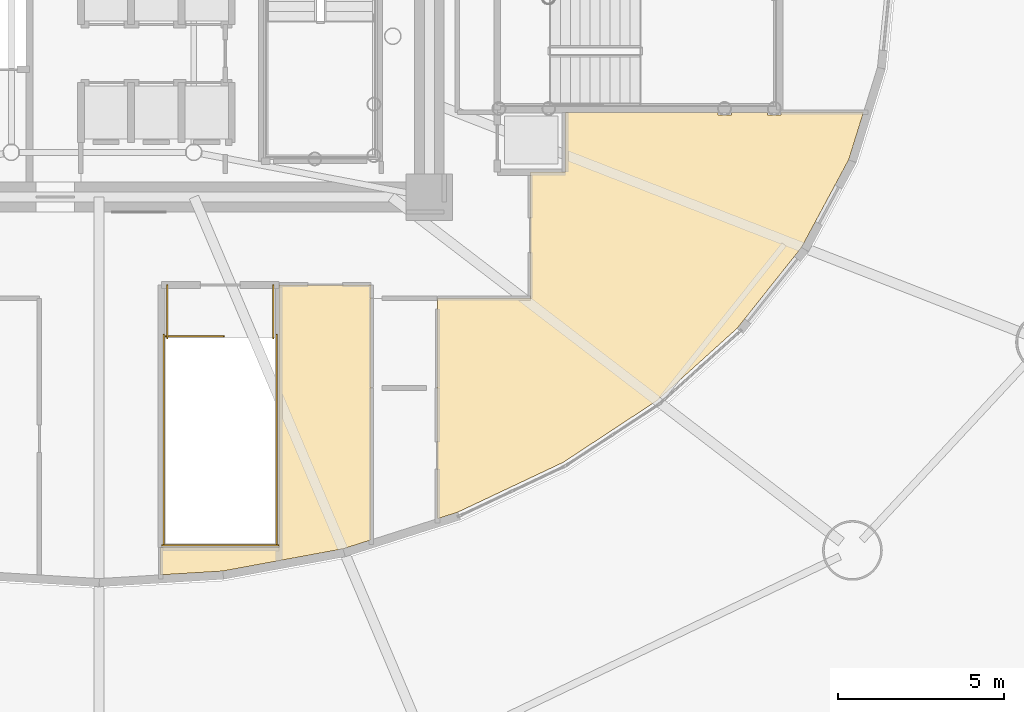
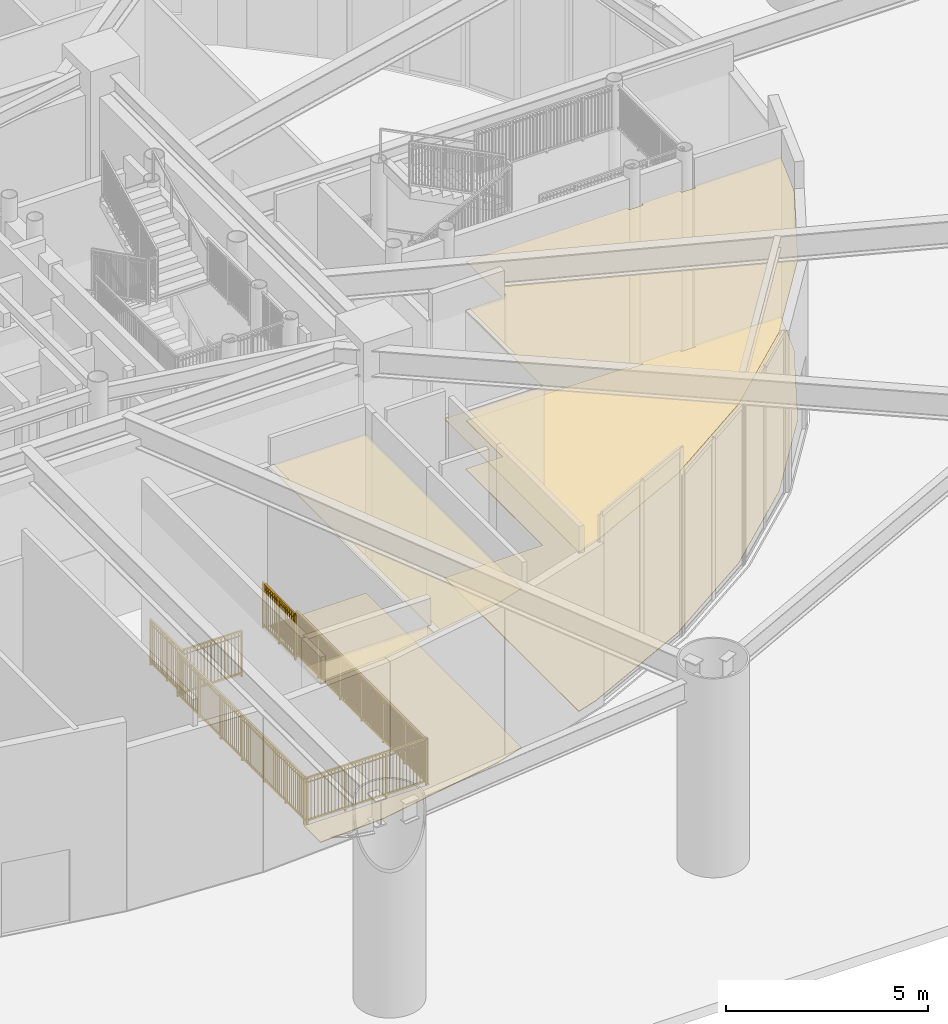
# One storey, part 39 of 46: 6 railings, 4 coverings.
"""IFC4 building model written with IfcOpenShell, lengths in metres."""

from ifc_helpers import new_model, si_unit, direction, frame, origin, origin_2d, place, context, subcontext, project, spatial, polyline, rectangle, outline, extrude, source, transform, mapped, material, layer, layer_set, type_object, element, save


model = new_model("IFC4")

# Units and contexts
model_context = context("Model", 3, precision=1e-05, world=origin(), true_north=direction((0.0, 1.0)))
body_context = subcontext(model_context, "Body", "Model", "MODEL_VIEW")
ifc_project = project(units=[si_unit("LENGTHUNIT", "METRE"), si_unit("AREAUNIT", "SQUARE_METRE"), si_unit("VOLUMEUNIT", "CUBIC_METRE"), si_unit("PLANEANGLEUNIT", "RADIAN"), si_unit("MASSUNIT", "GRAM", prefix="KILO")], contexts=[model_context])

# Site, building, storey
site_placement = place(None, origin())
site = spatial("IfcSite", under=ifc_project, at=site_placement, CompositionType="ELEMENT")
building_placement = place(site_placement, origin())
building = spatial("IfcBuilding", under=site, at=building_placement, Name="Linh Dai School and Residence Tower", CompositionType="ELEMENT")
storey_placement = place(building_placement, origin())
storey = spatial("IfcBuildingStorey", under=building, at=storey_placement, Name="L00", CompositionType="ELEMENT", Elevation=0.0)

# Coverings
ifc_material_1 = material(Name="Mineral Fibre Acoustic Suspended Ceiling", Category="masonry")
ifc_layer_1 = layer(ifc_material_1, 0.02001953125)
ifc_layer_set_1 = layer_set([ifc_layer_1], Name="Mineral Fibre Acoustic Suspended Ceiling")
covering_type_1 = type_object("IfcCoveringType", Name="COV-CEIL-AC-20", PredefinedType="CEILING", material=ifc_layer_set_1)
covering_1_placement = place(storey_placement, frame((0.0, 0.0, 4.800048828125)))
element("IfcCovering", 1, at=covering_1_placement, inside=storey, type_object=covering_type_1, Name="L00 Protected Basement Stair STB1 Discharge Passage South Suspended Ceiling", PredefinedType="CEILING", context=body_context, shape_type="SweptSolid", body=[
    extrude(outline(polyline([(37.85009765625, 9.679931640625), (41.419921875, 9.679931640625), (41.419921875, 17.60009765625), (44.199951171875, 17.60009765625), (44.199951171875, 9.91748046875), (43.355712890625, 9.64794921875), (39.72412109375, 8.975830078125), (37.85009765625, 8.8623046875), (37.85009765625, 9.679931640625)])), origin(), (0.0, 0.0, 1.0), 0.02001953125),
])
covering_2_placement = place(storey_placement, frame((0.0, 0.0, 4.800048828125)))
element("IfcCovering", 2, at=covering_2_placement, inside=storey, type_object=covering_type_1, Name="L00 Civic Stilts Colonnade Kiosk and Waiting Lounge Suspended Ceiling", PredefinedType="CEILING", context=body_context, shape_type="SweptSolid", body=[
    extrude(outline(polyline([(52.81787109375, 14.116455078125), (49.984619140625, 12.251220703125), (46.804443359375, 10.7490234375), (46.199951171875, 10.55615234375), (46.199951171875, 17.199951171875), (49.0, 17.199951171875), (49.0, 21.0), (50.050048828125, 21.0), (50.050048828125, 22.800048828125), (54.646728515625, 22.800048828125), (54.646728515625, 22.716796875), (55.05322265625, 22.716796875), (55.05322265625, 22.800048828125), (56.146728515625, 22.800048828125), (56.146728515625, 22.716796875), (56.55322265625, 22.716796875), (56.55322265625, 22.800048828125), (59.037109375, 22.800048828125), (58.594970703125, 21.38037109375), (57.175537109375, 18.739013671875), (55.234619140625, 16.29736328125), (52.81787109375, 14.116455078125)])), origin(), (0.0, 0.0, 1.0), 0.02001953125),
])
ifc_material_2 = material(Name="Polished Terrazzo Floor Finish", Category="masonry")
ifc_layer_2 = layer(ifc_material_2, 0.02490234375)
ifc_layer_set_2 = layer_set([ifc_layer_2], Name="Polished Terrazzo Floor Finish")
covering_type_2 = type_object("IfcCoveringType", Name="COV-FLR-TRZ-25", PredefinedType="FLOORING", material=ifc_layer_set_2)
covering_3_placement = place(storey_placement, origin())
element("IfcCovering", 3, at=covering_3_placement, inside=storey, type_object=covering_type_2, Name="L00 Protected Basement Stair STB1 Discharge Passage South Floor Finish", PredefinedType="FLOORING", context=body_context, shape_type="SweptSolid", body=[
    extrude(outline(polyline([(37.85009765625, 9.679931640625), (41.419921875, 9.679931640625), (41.419921875, 17.60009765625), (44.199951171875, 17.60009765625), (44.199951171875, 9.91748046875), (43.355712890625, 9.64794921875), (39.72412109375, 8.975830078125), (37.85009765625, 8.8623046875), (37.85009765625, 9.679931640625)])), origin(), (0.0, 0.0, 1.0), 0.02001953125),
])
covering_4_placement = place(storey_placement, origin())
element("IfcCovering", 4, at=covering_4_placement, inside=storey, type_object=covering_type_2, Name="L00 Civic Stilts Colonnade Kiosk and Waiting Lounge Floor Finish", PredefinedType="FLOORING", context=body_context, shape_type="SweptSolid", body=[
    extrude(outline(polyline([(52.81787109375, 14.116455078125), (49.984619140625, 12.251220703125), (46.804443359375, 10.7490234375), (46.199951171875, 10.55615234375), (46.199951171875, 17.199951171875), (49.0, 17.199951171875), (49.0, 21.0), (50.050048828125, 21.0), (50.050048828125, 22.800048828125), (54.646728515625, 22.800048828125), (54.646728515625, 22.716796875), (55.05322265625, 22.716796875), (55.05322265625, 22.800048828125), (56.146728515625, 22.800048828125), (56.146728515625, 22.716796875), (56.55322265625, 22.716796875), (56.55322265625, 22.800048828125), (59.037109375, 22.800048828125), (58.594970703125, 21.38037109375), (57.175537109375, 18.739013671875), (55.234619140625, 16.29736328125), (52.81787109375, 14.116455078125)])), origin(), (0.0, 0.0, 1.0), 0.02001953125),
])

# Railings
ifc_material_3 = material(Name="Structural Steel S355JR", Category="steel")
railing_type = type_object("IfcRailingType", Name="RL-ST-GUARD-1400", PredefinedType="GUARDRAIL", material=ifc_material_3)
shared_shape_1 = source(origin(), body_context, "Body", "SweptSolid", [
    extrude(rectangle(XDim=0.048095703125, YDim=0.048095703125, at=origin_2d()), frame((0.0, 0.0, 1.3759765625), z_axis=(0.0, -1.0, 0.0), x_axis=(1.0, 0.0, 0.0)), (0.0, 0.0, 1.0), 1.60009765625),
    extrude(rectangle(XDim=0.048095703125, YDim=0.048095703125, at=origin_2d()), frame((0.0, 0.0, 0.10009765625), z_axis=(0.0, -1.0, 0.0), x_axis=(1.0, 0.0, 0.0)), (0.0, 0.0, 1.0), 1.60009765625),
    extrude(rectangle(XDim=0.030029296875, YDim=0.030029296875, at=origin_2d()), frame((0.0, 0.0, 1.239990234375), z_axis=(0.0, -1.0, 0.0), x_axis=(1.0, 0.0, 0.0)), (0.0, 0.0, 1.0), 1.60009765625),
    extrude(rectangle(XDim=0.02001953125, YDim=0.02001953125, at=origin_2d()), frame((0.0, -0.09423828125, 0.10009765625)), (0.0, 0.0, 1.0), 1.251708984375),
    extrude(rectangle(XDim=0.02001953125, YDim=0.02001953125, at=origin_2d()), frame((0.0, -0.188232421875, 0.10009765625)), (0.0, 0.0, 1.0), 1.251708984375),
    extrude(rectangle(XDim=0.02001953125, YDim=0.02001953125, at=origin_2d()), frame((0.0, -0.282470703125, 0.10009765625)), (0.0, 0.0, 1.0), 1.251708984375),
    extrude(rectangle(XDim=0.02001953125, YDim=0.02001953125, at=origin_2d()), frame((0.0, -0.37646484375, 0.10009765625)), (0.0, 0.0, 1.0), 1.251708984375),
    extrude(rectangle(XDim=0.02001953125, YDim=0.02001953125, at=origin_2d()), frame((0.0, -0.470703125, 0.10009765625)), (0.0, 0.0, 1.0), 1.251708984375),
    extrude(rectangle(XDim=0.02001953125, YDim=0.02001953125, at=origin_2d()), frame((0.0, -0.564697265625, 0.10009765625)), (0.0, 0.0, 1.0), 1.251708984375),
    extrude(rectangle(XDim=0.02001953125, YDim=0.02001953125, at=origin_2d()), frame((0.0, -0.658935546875, 0.10009765625)), (0.0, 0.0, 1.0), 1.251708984375),
    extrude(rectangle(XDim=0.02001953125, YDim=0.02001953125, at=origin_2d()), frame((0.0, -0.7529296875, 0.10009765625)), (0.0, 0.0, 1.0), 1.251708984375),
    extrude(rectangle(XDim=0.02001953125, YDim=0.02001953125, at=origin_2d()), frame((0.0, -0.84716796875, 0.10009765625)), (0.0, 0.0, 1.0), 1.251708984375),
    extrude(rectangle(XDim=0.02001953125, YDim=0.02001953125, at=origin_2d()), frame((0.0, -0.941162109375, 0.10009765625)), (0.0, 0.0, 1.0), 1.251708984375),
    extrude(rectangle(XDim=0.02001953125, YDim=0.02001953125, at=origin_2d()), frame((0.0, -1.035400390625, 0.10009765625)), (0.0, 0.0, 1.0), 1.251708984375),
    extrude(rectangle(XDim=0.02001953125, YDim=0.02001953125, at=origin_2d()), frame((0.0, -1.12939453125, 0.10009765625)), (0.0, 0.0, 1.0), 1.251708984375),
    extrude(rectangle(XDim=0.02001953125, YDim=0.02001953125, at=origin_2d()), frame((0.0, -1.2236328125, 0.10009765625)), (0.0, 0.0, 1.0), 1.251708984375),
    extrude(rectangle(XDim=0.02001953125, YDim=0.02001953125, at=origin_2d()), frame((0.0, -1.317626953125, 0.10009765625)), (0.0, 0.0, 1.0), 1.251708984375),
    extrude(rectangle(XDim=0.02001953125, YDim=0.02001953125, at=origin_2d()), frame((0.0, -1.411865234375, 0.10009765625)), (0.0, 0.0, 1.0), 1.251708984375),
    extrude(rectangle(XDim=0.02001953125, YDim=0.02001953125, at=origin_2d()), frame((0.0, -1.505859375, 0.10009765625)), (0.0, 0.0, 1.0), 1.251708984375),
    extrude(rectangle(XDim=0.0419921875, YDim=0.0419921875, at=origin_2d()), origin(), (0.0, 0.0, 1.0), 1.3759765625),
    extrude(rectangle(XDim=0.0419921875, YDim=0.0419921875, at=origin_2d()), frame((0.0, -0.800048828125, 0.0)), (0.0, 0.0, 1.0), 1.3759765625),
    extrude(rectangle(XDim=0.0419921875, YDim=0.0419921875, at=origin_2d()), frame((0.0, -1.60009765625, 0.0)), (0.0, 0.0, 1.0), 1.3759765625),
])
for number, where, name in (
    (5, (38.050048828125, 17.60009765625, 0.0), "L00 STB1 top well guard 5"),
    (6, (41.25, 17.60009765625, 0.0), "L00 STB1 top well guard 6"),
):
    element("IfcRailing", number, at=place(storey_placement, frame(where)), inside=storey, type_object=railing_type, Name=name, PredefinedType="GUARDRAIL", context=body_context, shape_type="MappedRepresentation", body=[
        mapped(shared_shape_1, transform((0.0, 0.0, 0.0), x_axis=(1.0, 0.0, 0.0), y_axis=(0.0, 1.0, 0.0), z_axis=(0.0, 0.0, 1.0), scale=1.0)),
    ])
shared_shape_2 = source(origin(), body_context, "Body", "SweptSolid", [
    extrude(rectangle(XDim=0.048095703125, YDim=0.048095703125, at=origin_2d()), frame((0.0, 0.0, 1.3759765625), z_axis=(1.0, 0.0, 0.0), x_axis=(0.0, 1.0, 0.0)), (0.0, 0.0, 1.0), 3.5),
    extrude(rectangle(XDim=0.048095703125, YDim=0.048095703125, at=origin_2d()), frame((0.0, 0.0, 0.10009765625), z_axis=(1.0, 0.0, 0.0), x_axis=(0.0, 1.0, 0.0)), (0.0, 0.0, 1.0), 3.5),
    extrude(rectangle(XDim=0.030029296875, YDim=0.030029296875, at=origin_2d()), frame((0.0, 0.0, 1.239990234375), z_axis=(1.0, 0.0, 0.0), x_axis=(0.0, 1.0, 0.0)), (0.0, 0.0, 1.0), 3.5),
    extrude(rectangle(XDim=0.02001953125, YDim=0.02001953125, at=origin_2d()), frame((0.09716796875, 0.0, 0.10009765625)), (0.0, 0.0, 1.0), 1.251708984375),
    extrude(rectangle(XDim=0.02001953125, YDim=0.02001953125, at=origin_2d()), frame((0.1943359375, 0.0, 0.10009765625)), (0.0, 0.0, 1.0), 1.251708984375),
    extrude(rectangle(XDim=0.02001953125, YDim=0.02001953125, at=origin_2d()), frame((0.291748046875, 0.0, 0.10009765625)), (0.0, 0.0, 1.0), 1.251708984375),
    extrude(rectangle(XDim=0.02001953125, YDim=0.02001953125, at=origin_2d()), frame((0.388916015625, 0.0, 0.10009765625)), (0.0, 0.0, 1.0), 1.251708984375),
    extrude(rectangle(XDim=0.02001953125, YDim=0.02001953125, at=origin_2d()), frame((0.486083984375, 0.0, 0.10009765625)), (0.0, 0.0, 1.0), 1.251708984375),
    extrude(rectangle(XDim=0.02001953125, YDim=0.02001953125, at=origin_2d()), frame((0.583251953125, 0.0, 0.10009765625)), (0.0, 0.0, 1.0), 1.251708984375),
    extrude(rectangle(XDim=0.02001953125, YDim=0.02001953125, at=origin_2d()), frame((0.6806640625, 0.0, 0.10009765625)), (0.0, 0.0, 1.0), 1.251708984375),
    extrude(rectangle(XDim=0.02001953125, YDim=0.02001953125, at=origin_2d()), frame((0.77783203125, 0.0, 0.10009765625)), (0.0, 0.0, 1.0), 1.251708984375),
    extrude(rectangle(XDim=0.02001953125, YDim=0.02001953125, at=origin_2d()), frame((0.875, 0.0, 0.10009765625)), (0.0, 0.0, 1.0), 1.251708984375),
    extrude(rectangle(XDim=0.02001953125, YDim=0.02001953125, at=origin_2d()), frame((0.97216796875, 0.0, 0.10009765625)), (0.0, 0.0, 1.0), 1.251708984375),
    extrude(rectangle(XDim=0.02001953125, YDim=0.02001953125, at=origin_2d()), frame((1.0693359375, 0.0, 0.10009765625)), (0.0, 0.0, 1.0), 1.251708984375),
    extrude(rectangle(XDim=0.02001953125, YDim=0.02001953125, at=origin_2d()), frame((1.263916015625, 0.0, 0.10009765625)), (0.0, 0.0, 1.0), 1.251708984375),
    extrude(rectangle(XDim=0.02001953125, YDim=0.02001953125, at=origin_2d()), frame((1.361083984375, 0.0, 0.10009765625)), (0.0, 0.0, 1.0), 1.251708984375),
    extrude(rectangle(XDim=0.02001953125, YDim=0.02001953125, at=origin_2d()), frame((1.458251953125, 0.0, 0.10009765625)), (0.0, 0.0, 1.0), 1.251708984375),
    extrude(rectangle(XDim=0.02001953125, YDim=0.02001953125, at=origin_2d()), frame((1.5556640625, 0.0, 0.10009765625)), (0.0, 0.0, 1.0), 1.251708984375),
    extrude(rectangle(XDim=0.02001953125, YDim=0.02001953125, at=origin_2d()), frame((1.65283203125, 0.0, 0.10009765625)), (0.0, 0.0, 1.0), 1.251708984375),
    extrude(rectangle(XDim=0.02001953125, YDim=0.02001953125, at=origin_2d()), frame((1.75, 0.0, 0.10009765625)), (0.0, 0.0, 1.0), 1.251708984375),
    extrude(rectangle(XDim=0.02001953125, YDim=0.02001953125, at=origin_2d()), frame((1.84716796875, 0.0, 0.10009765625)), (0.0, 0.0, 1.0), 1.251708984375),
    extrude(rectangle(XDim=0.02001953125, YDim=0.02001953125, at=origin_2d()), frame((1.9443359375, 0.0, 0.10009765625)), (0.0, 0.0, 1.0), 1.251708984375),
    extrude(rectangle(XDim=0.02001953125, YDim=0.02001953125, at=origin_2d()), frame((2.041748046875, 0.0, 0.10009765625)), (0.0, 0.0, 1.0), 1.251708984375),
    extrude(rectangle(XDim=0.02001953125, YDim=0.02001953125, at=origin_2d()), frame((2.138916015625, 0.0, 0.10009765625)), (0.0, 0.0, 1.0), 1.251708984375),
    extrude(rectangle(XDim=0.02001953125, YDim=0.02001953125, at=origin_2d()), frame((2.236083984375, 0.0, 0.10009765625)), (0.0, 0.0, 1.0), 1.251708984375),
    extrude(rectangle(XDim=0.02001953125, YDim=0.02001953125, at=origin_2d()), frame((2.4306640625, 0.0, 0.10009765625)), (0.0, 0.0, 1.0), 1.251708984375),
    extrude(rectangle(XDim=0.02001953125, YDim=0.02001953125, at=origin_2d()), frame((2.52783203125, 0.0, 0.10009765625)), (0.0, 0.0, 1.0), 1.251708984375),
    extrude(rectangle(XDim=0.02001953125, YDim=0.02001953125, at=origin_2d()), frame((2.625, 0.0, 0.10009765625)), (0.0, 0.0, 1.0), 1.251708984375),
    extrude(rectangle(XDim=0.02001953125, YDim=0.02001953125, at=origin_2d()), frame((2.72216796875, 0.0, 0.10009765625)), (0.0, 0.0, 1.0), 1.251708984375),
    extrude(rectangle(XDim=0.02001953125, YDim=0.02001953125, at=origin_2d()), frame((2.8193359375, 0.0, 0.10009765625)), (0.0, 0.0, 1.0), 1.251708984375),
    extrude(rectangle(XDim=0.02001953125, YDim=0.02001953125, at=origin_2d()), frame((2.916748046875, 0.0, 0.10009765625)), (0.0, 0.0, 1.0), 1.251708984375),
    extrude(rectangle(XDim=0.02001953125, YDim=0.02001953125, at=origin_2d()), frame((3.013916015625, 0.0, 0.10009765625)), (0.0, 0.0, 1.0), 1.251708984375),
    extrude(rectangle(XDim=0.02001953125, YDim=0.02001953125, at=origin_2d()), frame((3.111083984375, 0.0, 0.10009765625)), (0.0, 0.0, 1.0), 1.251708984375),
    extrude(rectangle(XDim=0.02001953125, YDim=0.02001953125, at=origin_2d()), frame((3.208251953125, 0.0, 0.10009765625)), (0.0, 0.0, 1.0), 1.251708984375),
    extrude(rectangle(XDim=0.02001953125, YDim=0.02001953125, at=origin_2d()), frame((3.3056640625, 0.0, 0.10009765625)), (0.0, 0.0, 1.0), 1.251708984375),
    extrude(rectangle(XDim=0.02001953125, YDim=0.02001953125, at=origin_2d()), frame((3.40283203125, 0.0, 0.10009765625)), (0.0, 0.0, 1.0), 1.251708984375),
    extrude(rectangle(XDim=0.0419921875, YDim=0.0419921875, at=origin_2d()), origin(), (0.0, 0.0, 1.0), 1.3759765625),
    extrude(rectangle(XDim=0.0419921875, YDim=0.0419921875, at=origin_2d()), frame((1.166748046875, 0.0, 0.0)), (0.0, 0.0, 1.0), 1.3759765625),
    extrude(rectangle(XDim=0.0419921875, YDim=0.0419921875, at=origin_2d()), frame((2.333251953125, 0.0, 0.0)), (0.0, 0.0, 1.0), 1.3759765625),
    extrude(rectangle(XDim=0.0419921875, YDim=0.0419921875, at=origin_2d()), frame((3.5, 0.0, 0.0)), (0.0, 0.0, 1.0), 1.3759765625),
])
railing_1_placement = place(storey_placement, frame((37.89990234375, 9.75, 0.0)))
element("IfcRailing", 7, at=railing_1_placement, inside=storey, type_object=railing_type, Name="L00 STB1 top well guard 4", PredefinedType="GUARDRAIL", context=body_context, shape_type="MappedRepresentation", body=[
    mapped(shared_shape_2, transform((0.0, 0.0, 0.0), x_axis=(1.0, 0.0, 0.0), y_axis=(0.0, 1.0, 0.0), z_axis=(0.0, 0.0, 1.0), scale=1.0)),
])
shared_shape_3 = source(origin(), body_context, "Body", "SweptSolid", [
    extrude(rectangle(XDim=0.048095703125, YDim=0.048095703125, at=origin_2d()), frame((0.0, 0.0, 1.3759765625), z_axis=(1.0, 0.0, 0.0), x_axis=(0.0, 1.0, 0.0)), (0.0, 0.0, 1.0), 1.75),
    extrude(rectangle(XDim=0.048095703125, YDim=0.048095703125, at=origin_2d()), frame((0.0, 0.0, 0.10009765625), z_axis=(1.0, 0.0, 0.0), x_axis=(0.0, 1.0, 0.0)), (0.0, 0.0, 1.0), 1.75),
    extrude(rectangle(XDim=0.030029296875, YDim=0.030029296875, at=origin_2d()), frame((0.0, 0.0, 1.239990234375), z_axis=(1.0, 0.0, 0.0), x_axis=(0.0, 1.0, 0.0)), (0.0, 0.0, 1.0), 1.75),
    extrude(rectangle(XDim=0.02001953125, YDim=0.02001953125, at=origin_2d()), frame((0.09716796875, 0.0, 0.10009765625)), (0.0, 0.0, 1.0), 1.251708984375),
    extrude(rectangle(XDim=0.02001953125, YDim=0.02001953125, at=origin_2d()), frame((0.1943359375, 0.0, 0.10009765625)), (0.0, 0.0, 1.0), 1.251708984375),
    extrude(rectangle(XDim=0.02001953125, YDim=0.02001953125, at=origin_2d()), frame((0.291748046875, 0.0, 0.10009765625)), (0.0, 0.0, 1.0), 1.251708984375),
    extrude(rectangle(XDim=0.02001953125, YDim=0.02001953125, at=origin_2d()), frame((0.388916015625, 0.0, 0.10009765625)), (0.0, 0.0, 1.0), 1.251708984375),
    extrude(rectangle(XDim=0.02001953125, YDim=0.02001953125, at=origin_2d()), frame((0.486083984375, 0.0, 0.10009765625)), (0.0, 0.0, 1.0), 1.251708984375),
    extrude(rectangle(XDim=0.02001953125, YDim=0.02001953125, at=origin_2d()), frame((0.583251953125, 0.0, 0.10009765625)), (0.0, 0.0, 1.0), 1.251708984375),
    extrude(rectangle(XDim=0.02001953125, YDim=0.02001953125, at=origin_2d()), frame((0.6806640625, 0.0, 0.10009765625)), (0.0, 0.0, 1.0), 1.251708984375),
    extrude(rectangle(XDim=0.02001953125, YDim=0.02001953125, at=origin_2d()), frame((0.77783203125, 0.0, 0.10009765625)), (0.0, 0.0, 1.0), 1.251708984375),
    extrude(rectangle(XDim=0.02001953125, YDim=0.02001953125, at=origin_2d()), frame((0.97216796875, 0.0, 0.10009765625)), (0.0, 0.0, 1.0), 1.251708984375),
    extrude(rectangle(XDim=0.02001953125, YDim=0.02001953125, at=origin_2d()), frame((1.0693359375, 0.0, 0.10009765625)), (0.0, 0.0, 1.0), 1.251708984375),
    extrude(rectangle(XDim=0.02001953125, YDim=0.02001953125, at=origin_2d()), frame((1.166748046875, 0.0, 0.10009765625)), (0.0, 0.0, 1.0), 1.251708984375),
    extrude(rectangle(XDim=0.02001953125, YDim=0.02001953125, at=origin_2d()), frame((1.263916015625, 0.0, 0.10009765625)), (0.0, 0.0, 1.0), 1.251708984375),
    extrude(rectangle(XDim=0.02001953125, YDim=0.02001953125, at=origin_2d()), frame((1.361083984375, 0.0, 0.10009765625)), (0.0, 0.0, 1.0), 1.251708984375),
    extrude(rectangle(XDim=0.02001953125, YDim=0.02001953125, at=origin_2d()), frame((1.458251953125, 0.0, 0.10009765625)), (0.0, 0.0, 1.0), 1.251708984375),
    extrude(rectangle(XDim=0.02001953125, YDim=0.02001953125, at=origin_2d()), frame((1.5556640625, 0.0, 0.10009765625)), (0.0, 0.0, 1.0), 1.251708984375),
    extrude(rectangle(XDim=0.02001953125, YDim=0.02001953125, at=origin_2d()), frame((1.65283203125, 0.0, 0.10009765625)), (0.0, 0.0, 1.0), 1.251708984375),
    extrude(rectangle(XDim=0.0419921875, YDim=0.0419921875, at=origin_2d()), origin(), (0.0, 0.0, 1.0), 1.3759765625),
    extrude(rectangle(XDim=0.0419921875, YDim=0.0419921875, at=origin_2d()), frame((0.875, 0.0, 0.0)), (0.0, 0.0, 1.0), 1.3759765625),
    extrude(rectangle(XDim=0.0419921875, YDim=0.0419921875, at=origin_2d()), frame((1.75, 0.0, 0.0)), (0.0, 0.0, 1.0), 1.3759765625),
])
railing_2_placement = place(storey_placement, frame((38.0, 16.050048828125, 0.0)))
element("IfcRailing", 8, at=railing_2_placement, inside=storey, type_object=railing_type, Name="L00 STB1 top well guard 1", PredefinedType="GUARDRAIL", context=body_context, shape_type="MappedRepresentation", body=[
    mapped(shared_shape_3, transform((0.0, 0.0, 0.0), x_axis=(1.0, 0.0, 0.0), y_axis=(0.0, 1.0, 0.0), z_axis=(0.0, 0.0, 1.0), scale=1.0)),
])
shared_shape_4 = source(origin(), body_context, "Body", "SweptSolid", [
    extrude(rectangle(XDim=0.048095703125, YDim=0.048095703125, at=origin_2d()), frame((0.0, 0.0, 1.3759765625), z_axis=(0.0, -1.0, 0.0), x_axis=(1.0, 0.0, 0.0)), (0.0, 0.0, 1.0), 6.400146484375),
    extrude(rectangle(XDim=0.048095703125, YDim=0.048095703125, at=origin_2d()), frame((0.0, 0.0, 0.10009765625), z_axis=(0.0, -1.0, 0.0), x_axis=(1.0, 0.0, 0.0)), (0.0, 0.0, 1.0), 6.400146484375),
    extrude(rectangle(XDim=0.030029296875, YDim=0.030029296875, at=origin_2d()), frame((0.0, 0.0, 1.239990234375), z_axis=(0.0, -1.0, 0.0), x_axis=(1.0, 0.0, 0.0)), (0.0, 0.0, 1.0), 6.400146484375),
    extrude(rectangle(XDim=0.02001953125, YDim=0.02001953125, at=origin_2d()), frame((0.0, -0.096923828125, 0.10009765625)), (0.0, 0.0, 1.0), 1.251708984375),
    extrude(rectangle(XDim=0.02001953125, YDim=0.02001953125, at=origin_2d()), frame((0.0, -0.19384765625, 0.10009765625)), (0.0, 0.0, 1.0), 1.251708984375),
    extrude(rectangle(XDim=0.02001953125, YDim=0.02001953125, at=origin_2d()), frame((0.0, -0.291015625, 0.10009765625)), (0.0, 0.0, 1.0), 1.251708984375),
    extrude(rectangle(XDim=0.02001953125, YDim=0.02001953125, at=origin_2d()), frame((0.0, -0.387939453125, 0.10009765625)), (0.0, 0.0, 1.0), 1.251708984375),
    extrude(rectangle(XDim=0.02001953125, YDim=0.02001953125, at=origin_2d()), frame((0.0, -0.48486328125, 0.10009765625)), (0.0, 0.0, 1.0), 1.251708984375),
    extrude(rectangle(XDim=0.02001953125, YDim=0.02001953125, at=origin_2d()), frame((0.0, -0.581787109375, 0.10009765625)), (0.0, 0.0, 1.0), 1.251708984375),
    extrude(rectangle(XDim=0.02001953125, YDim=0.02001953125, at=origin_2d()), frame((0.0, -0.6787109375, 0.10009765625)), (0.0, 0.0, 1.0), 1.251708984375),
    extrude(rectangle(XDim=0.02001953125, YDim=0.02001953125, at=origin_2d()), frame((0.0, -0.77587890625, 0.10009765625)), (0.0, 0.0, 1.0), 1.251708984375),
    extrude(rectangle(XDim=0.02001953125, YDim=0.02001953125, at=origin_2d()), frame((0.0, -0.872802734375, 0.10009765625)), (0.0, 0.0, 1.0), 1.251708984375),
    extrude(rectangle(XDim=0.02001953125, YDim=0.02001953125, at=origin_2d()), frame((0.0, -0.9697265625, 0.10009765625)), (0.0, 0.0, 1.0), 1.251708984375),
    extrude(rectangle(XDim=0.02001953125, YDim=0.02001953125, at=origin_2d()), frame((0.0, -1.16357421875, 0.10009765625)), (0.0, 0.0, 1.0), 1.251708984375),
    extrude(rectangle(XDim=0.02001953125, YDim=0.02001953125, at=origin_2d()), frame((0.0, -1.2607421875, 0.10009765625)), (0.0, 0.0, 1.0), 1.251708984375),
    extrude(rectangle(XDim=0.02001953125, YDim=0.02001953125, at=origin_2d()), frame((0.0, -1.357666015625, 0.10009765625)), (0.0, 0.0, 1.0), 1.251708984375),
    extrude(rectangle(XDim=0.02001953125, YDim=0.02001953125, at=origin_2d()), frame((0.0, -1.45458984375, 0.10009765625)), (0.0, 0.0, 1.0), 1.251708984375),
    extrude(rectangle(XDim=0.02001953125, YDim=0.02001953125, at=origin_2d()), frame((0.0, -1.551513671875, 0.10009765625)), (0.0, 0.0, 1.0), 1.251708984375),
    extrude(rectangle(XDim=0.02001953125, YDim=0.02001953125, at=origin_2d()), frame((0.0, -1.6484375, 0.10009765625)), (0.0, 0.0, 1.0), 1.251708984375),
    extrude(rectangle(XDim=0.02001953125, YDim=0.02001953125, at=origin_2d()), frame((0.0, -1.74560546875, 0.10009765625)), (0.0, 0.0, 1.0), 1.251708984375),
    extrude(rectangle(XDim=0.02001953125, YDim=0.02001953125, at=origin_2d()), frame((0.0, -1.842529296875, 0.10009765625)), (0.0, 0.0, 1.0), 1.251708984375),
    extrude(rectangle(XDim=0.02001953125, YDim=0.02001953125, at=origin_2d()), frame((0.0, -1.939453125, 0.10009765625)), (0.0, 0.0, 1.0), 1.251708984375),
    extrude(rectangle(XDim=0.02001953125, YDim=0.02001953125, at=origin_2d()), frame((0.0, -2.036376953125, 0.10009765625)), (0.0, 0.0, 1.0), 1.251708984375),
    extrude(rectangle(XDim=0.02001953125, YDim=0.02001953125, at=origin_2d()), frame((0.0, -2.23046875, 0.10009765625)), (0.0, 0.0, 1.0), 1.251708984375),
    extrude(rectangle(XDim=0.02001953125, YDim=0.02001953125, at=origin_2d()), frame((0.0, -2.327392578125, 0.10009765625)), (0.0, 0.0, 1.0), 1.251708984375),
    extrude(rectangle(XDim=0.02001953125, YDim=0.02001953125, at=origin_2d()), frame((0.0, -2.42431640625, 0.10009765625)), (0.0, 0.0, 1.0), 1.251708984375),
    extrude(rectangle(XDim=0.02001953125, YDim=0.02001953125, at=origin_2d()), frame((0.0, -2.521240234375, 0.10009765625)), (0.0, 0.0, 1.0), 1.251708984375),
    extrude(rectangle(XDim=0.02001953125, YDim=0.02001953125, at=origin_2d()), frame((0.0, -2.6181640625, 0.10009765625)), (0.0, 0.0, 1.0), 1.251708984375),
    extrude(rectangle(XDim=0.02001953125, YDim=0.02001953125, at=origin_2d()), frame((0.0, -2.71533203125, 0.10009765625)), (0.0, 0.0, 1.0), 1.251708984375),
    extrude(rectangle(XDim=0.02001953125, YDim=0.02001953125, at=origin_2d()), frame((0.0, -2.812255859375, 0.10009765625)), (0.0, 0.0, 1.0), 1.251708984375),
    extrude(rectangle(XDim=0.02001953125, YDim=0.02001953125, at=origin_2d()), frame((0.0, -2.9091796875, 0.10009765625)), (0.0, 0.0, 1.0), 1.251708984375),
    extrude(rectangle(XDim=0.02001953125, YDim=0.02001953125, at=origin_2d()), frame((0.0, -3.006103515625, 0.10009765625)), (0.0, 0.0, 1.0), 1.251708984375),
    extrude(rectangle(XDim=0.02001953125, YDim=0.02001953125, at=origin_2d()), frame((0.0, -3.10302734375, 0.10009765625)), (0.0, 0.0, 1.0), 1.251708984375),
    extrude(rectangle(XDim=0.02001953125, YDim=0.02001953125, at=origin_2d()), frame((0.0, -3.297119140625, 0.10009765625)), (0.0, 0.0, 1.0), 1.251708984375),
    extrude(rectangle(XDim=0.02001953125, YDim=0.02001953125, at=origin_2d()), frame((0.0, -3.39404296875, 0.10009765625)), (0.0, 0.0, 1.0), 1.251708984375),
    extrude(rectangle(XDim=0.02001953125, YDim=0.02001953125, at=origin_2d()), frame((0.0, -3.490966796875, 0.10009765625)), (0.0, 0.0, 1.0), 1.251708984375),
    extrude(rectangle(XDim=0.02001953125, YDim=0.02001953125, at=origin_2d()), frame((0.0, -3.587890625, 0.10009765625)), (0.0, 0.0, 1.0), 1.251708984375),
    extrude(rectangle(XDim=0.02001953125, YDim=0.02001953125, at=origin_2d()), frame((0.0, -3.684814453125, 0.10009765625)), (0.0, 0.0, 1.0), 1.251708984375),
    extrude(rectangle(XDim=0.02001953125, YDim=0.02001953125, at=origin_2d()), frame((0.0, -3.781982421875, 0.10009765625)), (0.0, 0.0, 1.0), 1.251708984375),
    extrude(rectangle(XDim=0.02001953125, YDim=0.02001953125, at=origin_2d()), frame((0.0, -3.87890625, 0.10009765625)), (0.0, 0.0, 1.0), 1.251708984375),
    extrude(rectangle(XDim=0.02001953125, YDim=0.02001953125, at=origin_2d()), frame((0.0, -3.975830078125, 0.10009765625)), (0.0, 0.0, 1.0), 1.251708984375),
    extrude(rectangle(XDim=0.02001953125, YDim=0.02001953125, at=origin_2d()), frame((0.0, -4.07275390625, 0.10009765625)), (0.0, 0.0, 1.0), 1.251708984375),
    extrude(rectangle(XDim=0.02001953125, YDim=0.02001953125, at=origin_2d()), frame((0.0, -4.169677734375, 0.10009765625)), (0.0, 0.0, 1.0), 1.251708984375),
    extrude(rectangle(XDim=0.02001953125, YDim=0.02001953125, at=origin_2d()), frame((0.0, -4.36376953125, 0.10009765625)), (0.0, 0.0, 1.0), 1.251708984375),
    extrude(rectangle(XDim=0.02001953125, YDim=0.02001953125, at=origin_2d()), frame((0.0, -4.460693359375, 0.10009765625)), (0.0, 0.0, 1.0), 1.251708984375),
    extrude(rectangle(XDim=0.02001953125, YDim=0.02001953125, at=origin_2d()), frame((0.0, -4.5576171875, 0.10009765625)), (0.0, 0.0, 1.0), 1.251708984375),
    extrude(rectangle(XDim=0.02001953125, YDim=0.02001953125, at=origin_2d()), frame((0.0, -4.654541015625, 0.10009765625)), (0.0, 0.0, 1.0), 1.251708984375),
    extrude(rectangle(XDim=0.02001953125, YDim=0.02001953125, at=origin_2d()), frame((0.0, -4.751708984375, 0.10009765625)), (0.0, 0.0, 1.0), 1.251708984375),
    extrude(rectangle(XDim=0.02001953125, YDim=0.02001953125, at=origin_2d()), frame((0.0, -4.8486328125, 0.10009765625)), (0.0, 0.0, 1.0), 1.251708984375),
    extrude(rectangle(XDim=0.02001953125, YDim=0.02001953125, at=origin_2d()), frame((0.0, -4.945556640625, 0.10009765625)), (0.0, 0.0, 1.0), 1.251708984375),
    extrude(rectangle(XDim=0.02001953125, YDim=0.02001953125, at=origin_2d()), frame((0.0, -5.04248046875, 0.10009765625)), (0.0, 0.0, 1.0), 1.251708984375),
    extrude(rectangle(XDim=0.02001953125, YDim=0.02001953125, at=origin_2d()), frame((0.0, -5.139404296875, 0.10009765625)), (0.0, 0.0, 1.0), 1.251708984375),
    extrude(rectangle(XDim=0.02001953125, YDim=0.02001953125, at=origin_2d()), frame((0.0, -5.236572265625, 0.10009765625)), (0.0, 0.0, 1.0), 1.251708984375),
    extrude(rectangle(XDim=0.02001953125, YDim=0.02001953125, at=origin_2d()), frame((0.0, -5.430419921875, 0.10009765625)), (0.0, 0.0, 1.0), 1.251708984375),
    extrude(rectangle(XDim=0.02001953125, YDim=0.02001953125, at=origin_2d()), frame((0.0, -5.52734375, 0.10009765625)), (0.0, 0.0, 1.0), 1.251708984375),
    extrude(rectangle(XDim=0.02001953125, YDim=0.02001953125, at=origin_2d()), frame((0.0, -5.624267578125, 0.10009765625)), (0.0, 0.0, 1.0), 1.251708984375),
    extrude(rectangle(XDim=0.02001953125, YDim=0.02001953125, at=origin_2d()), frame((0.0, -5.721435546875, 0.10009765625)), (0.0, 0.0, 1.0), 1.251708984375),
    extrude(rectangle(XDim=0.02001953125, YDim=0.02001953125, at=origin_2d()), frame((0.0, -5.818359375, 0.10009765625)), (0.0, 0.0, 1.0), 1.251708984375),
    extrude(rectangle(XDim=0.02001953125, YDim=0.02001953125, at=origin_2d()), frame((0.0, -5.915283203125, 0.10009765625)), (0.0, 0.0, 1.0), 1.251708984375),
    extrude(rectangle(XDim=0.02001953125, YDim=0.02001953125, at=origin_2d()), frame((0.0, -6.01220703125, 0.10009765625)), (0.0, 0.0, 1.0), 1.251708984375),
    extrude(rectangle(XDim=0.02001953125, YDim=0.02001953125, at=origin_2d()), frame((0.0, -6.109130859375, 0.10009765625)), (0.0, 0.0, 1.0), 1.251708984375),
    extrude(rectangle(XDim=0.02001953125, YDim=0.02001953125, at=origin_2d()), frame((0.0, -6.206298828125, 0.10009765625)), (0.0, 0.0, 1.0), 1.251708984375),
    extrude(rectangle(XDim=0.02001953125, YDim=0.02001953125, at=origin_2d()), frame((0.0, -6.30322265625, 0.10009765625)), (0.0, 0.0, 1.0), 1.251708984375),
    extrude(rectangle(XDim=0.0419921875, YDim=0.0419921875, at=origin_2d()), origin(), (0.0, 0.0, 1.0), 1.3759765625),
    extrude(rectangle(XDim=0.0419921875, YDim=0.0419921875, at=origin_2d()), frame((0.0, -1.066650390625, 0.0)), (0.0, 0.0, 1.0), 1.3759765625),
    extrude(rectangle(XDim=0.0419921875, YDim=0.0419921875, at=origin_2d()), frame((0.0, -2.13330078125, 0.0)), (0.0, 0.0, 1.0), 1.3759765625),
    extrude(rectangle(XDim=0.0419921875, YDim=0.0419921875, at=origin_2d()), frame((0.0, -3.2001953125, 0.0)), (0.0, 0.0, 1.0), 1.3759765625),
    extrude(rectangle(XDim=0.0419921875, YDim=0.0419921875, at=origin_2d()), frame((0.0, -4.266845703125, 0.0)), (0.0, 0.0, 1.0), 1.3759765625),
    extrude(rectangle(XDim=0.0419921875, YDim=0.0419921875, at=origin_2d()), frame((0.0, -5.33349609375, 0.0)), (0.0, 0.0, 1.0), 1.3759765625),
    extrude(rectangle(XDim=0.0419921875, YDim=0.0419921875, at=origin_2d()), frame((0.0, -6.400146484375, 0.0)), (0.0, 0.0, 1.0), 1.3759765625),
])
for number, where, name in (
    (9, (37.949951171875, 16.10009765625, 0.0), "L00 STB1 top well guard 2"),
    (10, (41.35009765625, 16.10009765625, 0.0), "L00 STB1 top well guard 3"),
):
    element("IfcRailing", number, at=place(storey_placement, frame(where)), inside=storey, type_object=railing_type, Name=name, PredefinedType="GUARDRAIL", context=body_context, shape_type="MappedRepresentation", body=[
        mapped(shared_shape_4, transform((0.0, 0.0, 0.0), x_axis=(1.0, 0.0, 0.0), y_axis=(0.0, 1.0, 0.0), z_axis=(0.0, 0.0, 1.0), scale=1.0)),
    ])

save(model, "model.ifc")
